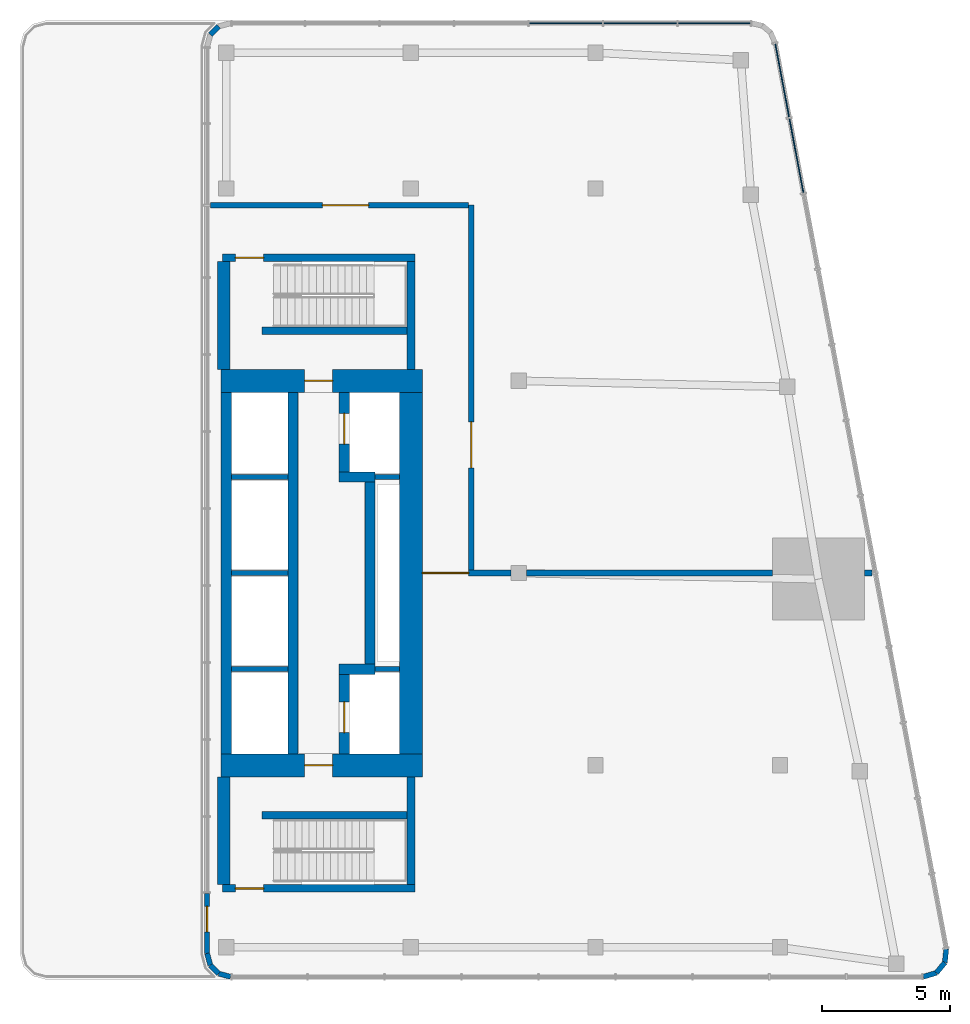
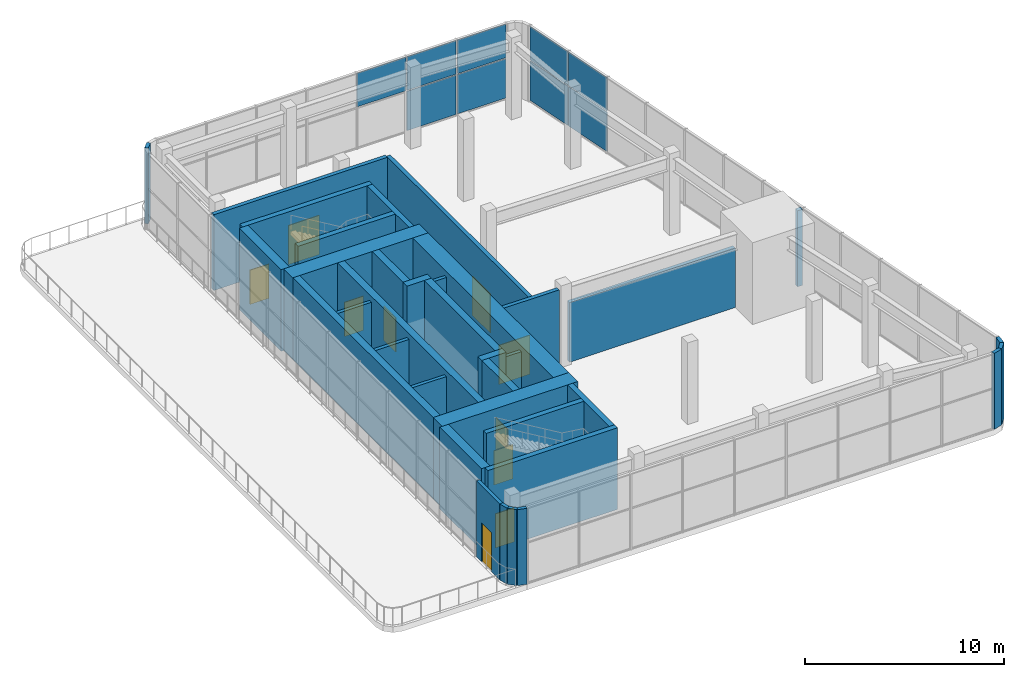
# One storey, part 5 of 8: 36 walls, 10 doors, 9 plates, 10 openings, 2 elements without a shape of their own.
"""IFC4 building model written with IfcOpenShell, lengths in metres."""

from ifc_helpers import new_model, si_unit, direction, frame, frame_2d, origin, origin_2d, place, context, subcontext, project, spatial, rectangle, extrude, material, layer, layer_set, type_object, element, fill, aggregate, save


model = new_model("IFC4")

# Units and contexts
model_context = context("Model", 3, precision=1e-05, world=origin(), true_north=direction((0.0, 1.0)))
body_context = subcontext(model_context, "Body", "Model", "MODEL_VIEW")
ifc_project = project(units=[si_unit("LENGTHUNIT", "METRE"), si_unit("AREAUNIT", "SQUARE_METRE"), si_unit("VOLUMEUNIT", "CUBIC_METRE"), si_unit("PLANEANGLEUNIT", "RADIAN"), si_unit("MASSUNIT", "GRAM", prefix="KILO")], contexts=[model_context])

# Site, building, storey
site_placement = place(None, origin())
site = spatial("IfcSite", under=ifc_project, at=site_placement, CompositionType="ELEMENT")
building_placement = place(site_placement, origin())
building = spatial("IfcBuilding", under=site, at=building_placement, Name="Sheger Commons Tower", CompositionType="ELEMENT")
storey_placement = place(building_placement, frame((0.0, 0.0, 296.60009765625)))
storey = spatial("IfcBuildingStorey", under=building, at=storey_placement, Name="L76", CompositionType="ELEMENT", Elevation=296.60009765625)

# Curtain wall, plates
ifc_material_1 = material(Name="Black aluminium curtain wall, dark tinted glazing", Category="aluminium")
curtain_wall_type = type_object("IfcCurtainWallType", Name="CURTAIN WALL CW6 LANTERN", PredefinedType="USERDEFINED", material=ifc_material_1)
curtain_wall_1_placement = place(storey_placement, origin())
curtain_wall_1 = element("IfcCurtainWall", 1, at=curtain_wall_1_placement, inside=storey, type_object=curtain_wall_type, Name="Curtain Wall Cw6 Lantern E1 L76", ObjectType="UNITISED CURTAIN WALL", PredefinedType="USERDEFINED")
ifc_material_2 = material(Name="Dark tinted double glazing, laminated inner and outer panes", Category="glass")
ifc_layer_1 = layer(ifc_material_2, 0.0439453125)
ifc_layer_set_1 = layer_set([ifc_layer_1], Name="GLAZED PANEL 44")
plate_type = type_object("IfcPlateType", Name="GLAZED PANEL 44", PredefinedType="CURTAIN_PANEL", material=ifc_layer_set_1)
plate_1_placement = place(storey_placement, frame((43.837158203125, 38.78466796875, 0.06494140625), z_axis=(0.0, 0.0, 1.0), x_axis=(-0.185613331041, 0.982622863229, 0.0)))
plate_1 = element("IfcPlate", 2, at=plate_1_placement, type_object=plate_type, Name="CW6 panel 11.1", PredefinedType="CURTAIN_PANEL", context=body_context, shape_type="SweptSolid", body=[
    extrude(rectangle(XDim=2.93505859375, YDim=0.0439453125, at=origin_2d()), origin(), (0.0, 0.0, 1.0), 2.402587890625),
])
plate_2_placement = place(storey_placement, frame((43.837158203125, 38.78466796875, 2.5322265625), z_axis=(0.0, 0.0, 1.0), x_axis=(-0.185613331041, 0.982622863229, 0.0)))
plate_2 = element("IfcPlate", 3, at=plate_2_placement, type_object=plate_type, Name="CW6 panel 11.2", PredefinedType="CURTAIN_PANEL", context=body_context, shape_type="SweptSolid", body=[
    extrude(rectangle(XDim=2.93505859375, YDim=0.0439453125, at=origin_2d()), origin(), (0.0, 0.0, 1.0), 2.052490234375),
])
plate_3_placement = place(storey_placement, frame((43.283447265625, 41.71630859375, 0.06494140625), z_axis=(0.0, 0.0, 1.0), x_axis=(-0.185613331041, 0.982622863229, 0.0)))
plate_3 = element("IfcPlate", 4, at=plate_3_placement, type_object=plate_type, Name="CW6 panel 12.1", PredefinedType="CURTAIN_PANEL", context=body_context, shape_type="SweptSolid", body=[
    extrude(rectangle(XDim=2.902099609375, YDim=0.0439453125, at=origin_2d()), origin(), (0.0, 0.0, 1.0), 2.402587890625),
])
plate_4_placement = place(storey_placement, frame((43.283447265625, 41.71630859375, 2.5322265625), z_axis=(0.0, 0.0, 1.0), x_axis=(-0.185613331041, 0.982622863229, 0.0)))
plate_4 = element("IfcPlate", 5, at=plate_4_placement, type_object=plate_type, Name="CW6 panel 12.2", PredefinedType="CURTAIN_PANEL", context=body_context, shape_type="SweptSolid", body=[
    extrude(rectangle(XDim=2.902099609375, YDim=0.0439453125, at=origin_2d()), origin(), (0.0, 0.0, 1.0), 2.052490234375),
])
aggregate(curtain_wall_1, [plate_1, plate_2, plate_3, plate_4])

curtain_wall_2_placement = place(storey_placement, origin())
curtain_wall_2 = element("IfcCurtainWall", 6, at=curtain_wall_2_placement, inside=storey, type_object=curtain_wall_type, Name="Curtain Wall Cw6 Lantern N1 L76", ObjectType="UNITISED CURTAIN WALL", PredefinedType="USERDEFINED")
plate_5_placement = place(storey_placement, frame((40.6337890625, 43.949951171875, 0.06494140625), z_axis=(0.0, 0.0, 1.0), x_axis=(-1.0, 0.0, 0.0)))
plate_5 = element("IfcPlate", 7, at=plate_5_placement, type_object=plate_type, Name="CW6 panel 1.1", PredefinedType="CURTAIN_PANEL", context=body_context, shape_type="SweptSolid", body=[
    extrude(rectangle(XDim=2.80810546875, YDim=0.0439453125, at=origin_2d()), origin(), (0.0, 0.0, 1.0), 2.402587890625),
])
plate_6_placement = place(storey_placement, frame((40.6337890625, 43.949951171875, 2.5322265625), z_axis=(0.0, 0.0, 1.0), x_axis=(-1.0, 0.0, 0.0)))
plate_6 = element("IfcPlate", 8, at=plate_6_placement, type_object=plate_type, Name="CW6 panel 1.2", PredefinedType="CURTAIN_PANEL", context=body_context, shape_type="SweptSolid", body=[
    extrude(rectangle(XDim=2.80810546875, YDim=0.0439453125, at=origin_2d()), origin(), (0.0, 0.0, 1.0), 2.052490234375),
])
plate_7_placement = place(storey_placement, frame((37.744384765625, 43.949951171875, 0.06494140625), z_axis=(0.0, 0.0, 1.0), x_axis=(-1.0, 0.0, 0.0)))
plate_7 = element("IfcPlate", 9, at=plate_7_placement, type_object=plate_type, Name="CW6 panel 2.1", PredefinedType="CURTAIN_PANEL", context=body_context, shape_type="SweptSolid", body=[
    extrude(rectangle(XDim=2.8408203125, YDim=0.0439453125, at=origin_2d()), origin(), (0.0, 0.0, 1.0), 2.402587890625),
])
plate_8_placement = place(storey_placement, frame((37.744384765625, 43.949951171875, 2.5322265625), z_axis=(0.0, 0.0, 1.0), x_axis=(-1.0, 0.0, 0.0)))
plate_8 = element("IfcPlate", 10, at=plate_8_placement, type_object=plate_type, Name="CW6 panel 2.2", PredefinedType="CURTAIN_PANEL", context=body_context, shape_type="SweptSolid", body=[
    extrude(rectangle(XDim=2.8408203125, YDim=0.0439453125, at=origin_2d()), origin(), (0.0, 0.0, 1.0), 2.052490234375),
])
plate_9_placement = place(storey_placement, frame((34.838623046875, 43.949951171875, 2.5322265625), z_axis=(0.0, 0.0, 1.0), x_axis=(-1.0, 0.0, 0.0)))
plate_9 = element("IfcPlate", 11, at=plate_9_placement, type_object=plate_type, Name="CW6 panel 3.2", PredefinedType="CURTAIN_PANEL", context=body_context, shape_type="SweptSolid", body=[
    extrude(rectangle(XDim=2.8408203125, YDim=0.0439453125, at=origin_2d()), origin(), (0.0, 0.0, 1.0), 2.052490234375),
])
aggregate(curtain_wall_2, [plate_5, plate_6, plate_7, plate_8, plate_9])

# Walls
ifc_material_3 = material(Name="Concrete C50/60", Category="concrete")
ifc_layer_2 = layer(ifc_material_3, 0.39990234375)
ifc_layer_set_2 = layer_set([ifc_layer_2], Name="CORE INNER WALL 400")
wall_type_1 = type_object("IfcWallType", Name="CORE INNER WALL 400", PredefinedType="SHEAR", material=ifc_layer_set_2)
for number, where, z_axis, x_axis, name in (
    (12, (21.60009765625, 15.449951171875, 0.0), (0.0, 0.0, 1.0), (0.0, 1.0, 0.0), "Core inner wall L L76"),
    (13, (24.199951171875, 15.449951171875, 0.0), (0.0, 0.0, 1.0), (0.0, 1.0, 0.0), "Core inner wall B L76"),
):
    element("IfcWall", number, at=place(storey_placement, frame(where, z_axis=z_axis, x_axis=x_axis)), inside=storey, type_object=wall_type_1, Name=name, PredefinedType="SHEAR", context=body_context, shape_type="SweptSolid", body=[
        extrude(rectangle(XDim=14.10009765625, YDim=0.39990234375, at=frame_2d((7.050048828125, 0.0))), origin(), (0.0, 0.0, 1.0), 5.0),
    ])

# Wall, opening, door
wall_1_placement = place(storey_placement, frame((26.199951171875, 15.449951171875, 0.0), z_axis=(0.0, 0.0, 1.0), x_axis=(0.0, 1.0, 0.0)))
wall_1 = element("IfcWall", 14, at=wall_1_placement, inside=storey, type_object=wall_type_1, Name="Core inner wall F L76", PredefinedType="SHEAR", context=body_context, shape_type="SweptSolid", body=[
    extrude(rectangle(XDim=3.10009765625, YDim=0.39990234375, at=frame_2d((1.550048828125, 0.0))), origin(), (0.0, 0.0, 1.0), 5.0),
])
opening_1_placement = place(wall_1_placement, frame((0.824951171875, 0.0, 0.0)))
opening_1 = element("IfcOpeningElement", 15, at=opening_1_placement, cuts=wall_1, Name="Opening LD2", PredefinedType="OPENING", context=body_context, shape_type="SweptSolid", body=[
    extrude(rectangle(XDim=1.199951171875, YDim=2.10009765625, at=frame_2d((0.60009765625, 1.050048828125))), frame((0.0, 0.2099609375, 0.0), z_axis=(0.0, -1.0, 0.0), x_axis=(1.0, 0.0, 0.0)), (0.0, 0.0, 1.0), 0.419921875),
])
ifc_material_4 = material(Name="Steel door set, fire rated", Category="steel")
door_type_1 = type_object("IfcDoorType", Name="FIREFIGHTING LIFT LANDING DOOR 1200x2100", OperationType="DOUBLE_DOOR_SLIDING", PredefinedType="DOOR", material=ifc_material_4)
door_1_placement = place(opening_1_placement, origin())
door_1 = element("IfcDoor", 16, at=door_1_placement, inside=storey, type_object=door_type_1, Name="Lift FL1 landing door", OperationType="DOUBLE_DOOR_SLIDING", OverallHeight=2.10009765625, OverallWidth=1.199951171875, PredefinedType="DOOR", context=body_context, shape_type="SweptSolid", body=[
    extrude(rectangle(XDim=1.199951171875, YDim=2.10009765625, at=frame_2d((0.60009765625, 1.050048828125))), frame((0.0, 0.02490234375, 0.0), z_axis=(0.0, -1.0, 0.0), x_axis=(1.0, 0.0, 0.0)), (0.0, 0.0, 1.0), 0.050048828125),
])
fill(opening_1, door_1)

# Walls
wall_2_placement = place(storey_placement, frame((26.0, 18.75, 0.0), z_axis=(0.0, 0.0, 1.0), x_axis=(1.0, 0.0, 0.0)))
element("IfcWall", 17, at=wall_2_placement, inside=storey, type_object=wall_type_1, Name="Core inner wall F south return L76", PredefinedType="SHEAR", context=body_context, shape_type="SweptSolid", body=[
    extrude(rectangle(XDim=1.39990234375, YDim=0.39990234375, at=frame_2d((0.699951171875, 0.0))), origin(), (0.0, 0.0, 1.0), 5.0),
])
wall_3_placement = place(storey_placement, frame((27.199951171875, 18.949951171875, 0.0), z_axis=(0.0, 0.0, 1.0), x_axis=(0.0, 1.0, 0.0)))
element("IfcWall", 18, at=wall_3_placement, inside=storey, type_object=wall_type_1, Name="Core inner wall F middle L76", PredefinedType="SHEAR", context=body_context, shape_type="SweptSolid", body=[
    extrude(rectangle(XDim=7.10009765625, YDim=0.39990234375, at=frame_2d((3.550048828125, 0.0))), origin(), (0.0, 0.0, 1.0), 5.0),
])
wall_4_placement = place(storey_placement, frame((26.0, 26.25, 0.0), z_axis=(0.0, 0.0, 1.0), x_axis=(1.0, 0.0, 0.0)))
element("IfcWall", 19, at=wall_4_placement, inside=storey, type_object=wall_type_1, Name="Core inner wall F north return L76", PredefinedType="SHEAR", context=body_context, shape_type="SweptSolid", body=[
    extrude(rectangle(XDim=1.39990234375, YDim=0.39990234375, at=frame_2d((0.699951171875, 0.0))), origin(), (0.0, 0.0, 1.0), 5.0),
])

# Wall, opening, door
wall_5_placement = place(storey_placement, frame((26.199951171875, 26.449951171875, 0.0), z_axis=(0.0, 0.0, 1.0), x_axis=(0.0, 1.0, 0.0)))
wall_5 = element("IfcWall", 20, at=wall_5_placement, inside=storey, type_object=wall_type_1, Name="Core inner wall F north L76", PredefinedType="SHEAR", context=body_context, shape_type="SweptSolid", body=[
    extrude(rectangle(XDim=3.10009765625, YDim=0.39990234375, at=frame_2d((1.550048828125, 0.0))), origin(), (0.0, 0.0, 1.0), 5.0),
])
opening_2_placement = place(wall_5_placement, frame((1.074951171875, 0.0, 0.0)))
opening_2 = element("IfcOpeningElement", 21, at=opening_2_placement, cuts=wall_5, Name="Opening LD2", PredefinedType="OPENING", context=body_context, shape_type="SweptSolid", body=[
    extrude(rectangle(XDim=1.199951171875, YDim=2.10009765625, at=frame_2d((0.60009765625, 1.050048828125))), frame((0.0, 0.2099609375, 0.0), z_axis=(0.0, -1.0, 0.0), x_axis=(1.0, 0.0, 0.0)), (0.0, 0.0, 1.0), 0.419921875),
])
door_2_placement = place(opening_2_placement, origin())
door_2 = element("IfcDoor", 22, at=door_2_placement, inside=storey, type_object=door_type_1, Name="Lift FL2 landing door", OperationType="DOUBLE_DOOR_SLIDING", OverallHeight=2.10009765625, OverallWidth=1.199951171875, PredefinedType="DOOR", context=body_context, shape_type="SweptSolid", body=[
    extrude(rectangle(XDim=1.199951171875, YDim=2.10009765625, at=frame_2d((0.60009765625, 1.050048828125))), frame((0.0, 0.02490234375, 0.0), z_axis=(0.0, -1.0, 0.0), x_axis=(1.0, 0.0, 0.0)), (0.0, 0.0, 1.0), 0.050048828125),
])
fill(opening_2, door_2)

ifc_material_5 = material(Name="Concrete C50/60", Category="concrete")
ifc_layer_3 = layer(ifc_material_5, 0.89990234375)
ifc_layer_set_3 = layer_set([ifc_layer_3], Name="CORE WALL 900")
wall_type_2 = type_object("IfcWallType", Name="CORE WALL 900", PredefinedType="SHEAR", material=ifc_layer_set_3)
wall_6_placement = place(storey_placement, frame((21.39990234375, 15.0, 0.0), z_axis=(0.0, 0.0, 1.0), x_axis=(1.0, 0.0, 0.0)))
wall_6 = element("IfcWall", 23, at=wall_6_placement, inside=storey, type_object=wall_type_2, Name="Core wall south L76", PredefinedType="SHEAR", context=body_context, shape_type="SweptSolid", body=[
    extrude(rectangle(XDim=7.85009765625, YDim=0.89990234375, at=frame_2d((3.925048828125, 0.0))), origin(), (0.0, 0.0, 1.0), 5.0),
])
opening_3_placement = place(wall_6_placement, frame((3.25, 0.0, 0.0)))
opening_3 = element("IfcOpeningElement", 24, at=opening_3_placement, cuts=wall_6, Name="Opening D5", PredefinedType="OPENING", context=body_context, shape_type="SweptSolid", body=[
    extrude(rectangle(XDim=1.10009765625, YDim=2.10009765625, at=frame_2d((0.550048828125, 1.050048828125))), frame((0.0, 0.4599609375, 0.0), z_axis=(0.0, -1.0, 0.0), x_axis=(1.0, 0.0, 0.0)), (0.0, 0.0, 1.0), 0.919921875),
])
ifc_material_6 = material(Name="Steel door set, fire rated", Category="steel")
door_type_2 = type_object("IfcDoorType", Name="STAIR DOOR 1100x2100", OperationType="NOTDEFINED", PredefinedType="DOOR", material=ifc_material_6)
door_3_placement = place(opening_3_placement, origin())
door_3 = element("IfcDoor", 25, at=door_3_placement, inside=storey, type_object=door_type_2, Name="Fire-fighting lobby door", OperationType="SINGLE_SWING_RIGHT", OverallHeight=2.10009765625, OverallWidth=1.10009765625, PredefinedType="DOOR", context=body_context, shape_type="SweptSolid", body=[
    extrude(rectangle(XDim=1.10009765625, YDim=2.10009765625, at=frame_2d((0.550048828125, 1.050048828125))), frame((0.0, 0.02490234375, 0.0), z_axis=(0.0, -1.0, 0.0), x_axis=(1.0, 0.0, 0.0)), (0.0, 0.0, 1.0), 0.050048828125),
])
fill(opening_3, door_3)

wall_7_placement = place(storey_placement, frame((21.39990234375, 30.0, 0.0), z_axis=(0.0, 0.0, 1.0), x_axis=(1.0, 0.0, 0.0)))
wall_7 = element("IfcWall", 26, at=wall_7_placement, inside=storey, type_object=wall_type_2, Name="Core wall north L76", PredefinedType="SHEAR", context=body_context, shape_type="SweptSolid", body=[
    extrude(rectangle(XDim=7.85009765625, YDim=0.89990234375, at=frame_2d((3.925048828125, 0.0))), origin(), (0.0, 0.0, 1.0), 5.0),
])
opening_4_placement = place(wall_7_placement, frame((3.25, 0.0, 0.0)))
opening_4 = element("IfcOpeningElement", 27, at=opening_4_placement, cuts=wall_7, Name="Opening D5", PredefinedType="OPENING", context=body_context, shape_type="SweptSolid", body=[
    extrude(rectangle(XDim=1.10009765625, YDim=2.10009765625, at=frame_2d((0.550048828125, 1.050048828125))), frame((0.0, 0.4599609375, 0.0), z_axis=(0.0, -1.0, 0.0), x_axis=(1.0, 0.0, 0.0)), (0.0, 0.0, 1.0), 0.919921875),
])
door_4_placement = place(opening_4_placement, origin())
door_4 = element("IfcDoor", 28, at=door_4_placement, inside=storey, type_object=door_type_2, Name="Fire-fighting lobby door", OperationType="SINGLE_SWING_RIGHT", OverallHeight=2.10009765625, OverallWidth=1.10009765625, PredefinedType="DOOR", context=body_context, shape_type="SweptSolid", body=[
    extrude(rectangle(XDim=1.10009765625, YDim=2.10009765625, at=frame_2d((0.550048828125, 1.050048828125))), frame((0.0, 0.02490234375, 0.0), z_axis=(0.0, -1.0, 0.0), x_axis=(1.0, 0.0, 0.0)), (0.0, 0.0, 1.0), 0.050048828125),
])
fill(opening_4, door_4)

# Walls
wall_8_placement = place(storey_placement, frame((28.800048828125, 15.449951171875, 0.0), z_axis=(0.0, 0.0, 1.0), x_axis=(0.0, 1.0, 0.0)))
element("IfcWall", 29, at=wall_8_placement, inside=storey, type_object=wall_type_2, Name="Core wall east L76", PredefinedType="SHEAR", context=body_context, shape_type="SweptSolid", body=[
    extrude(rectangle(XDim=14.10009765625, YDim=0.89990234375, at=frame_2d((7.050048828125, 0.0))), origin(), (0.0, 0.0, 1.0), 5.0),
])
ifc_material_7 = material(Name="Rendered concrete block masonry, dark grey", Category="masonry")
ifc_layer_4 = layer(ifc_material_7, 0.199951171875)
ifc_layer_set_4 = layer_set([ifc_layer_4], Name="FACADE WALL 200")
wall_type_3 = type_object("IfcWallType", Name="FACADE WALL 200", PredefinedType="SOLIDWALL", material=ifc_layer_set_4)
wall_9_placement = place(storey_placement, frame((48.787109375, 6.75, 0.0), z_axis=(0.0, 0.0, 1.0), x_axis=(0.957282247819, 0.289155145225, 0.0)))
element("IfcWall", 30, at=wall_9_placement, inside=storey, type_object=wall_type_3, Name="Facade wall L76", PredefinedType="SOLIDWALL", context=body_context, shape_type="SweptSolid", body=[
    extrude(rectangle(XDim=0.53271484375, YDim=0.199951171875, at=frame_2d((0.266357421875, 0.0))), origin(), (0.0, 0.0, 1.0), 4.64990234375),
])
wall_10_placement = place(storey_placement, frame((49.297119140625, 6.904052734375, 0.0), z_axis=(0.0, 0.0, 1.0), x_axis=(0.639255849474, 0.768994121508, 0.0)))
element("IfcWall", 31, at=wall_10_placement, inside=storey, type_object=wall_type_3, Name="Facade wall L76", PredefinedType="SOLIDWALL", context=body_context, shape_type="SweptSolid", body=[
    extrude(rectangle(XDim=0.517578125, YDim=0.199951171875, at=frame_2d((0.2587890625, 0.0))), origin(), (0.0, 0.0, 1.0), 4.64990234375),
])
wall_11_placement = place(storey_placement, frame((49.6279296875, 7.302001953125, 0.0), z_axis=(0.0, 0.0, 1.0), x_axis=(0.105352390132, 0.994434952068, 0.0)))
element("IfcWall", 32, at=wall_11_placement, inside=storey, type_object=wall_type_3, Name="Facade wall L76", PredefinedType="SOLIDWALL", context=body_context, shape_type="SweptSolid", body=[
    extrude(rectangle(XDim=0.532958984375, YDim=0.199951171875, at=frame_2d((0.2666015625, 0.0))), origin(), (0.0, 0.0, 1.0), 4.64990234375),
])
wall_12_placement = place(storey_placement, frame((21.302001953125, 43.825927734375, 0.0), z_axis=(0.0, 0.0, 1.0), x_axis=(-0.707106781187, -0.707106781187, 0.0)))
element("IfcWall", 33, at=wall_12_placement, inside=storey, type_object=wall_type_3, Name="Facade wall L76", PredefinedType="SOLIDWALL", context=body_context, shape_type="SweptSolid", body=[
    extrude(rectangle(XDim=0.463623046875, YDim=0.199951171875, at=frame_2d((0.23193359375, 0.0))), origin(), (0.0, 0.0, 1.0), 4.64990234375),
])

# Wall, opening, door
wall_13_placement = place(storey_placement, frame((20.85009765625, 10.0, 0.0), z_axis=(0.0, 0.0, 1.0), x_axis=(0.0, -1.0, 0.0)))
wall_13 = element("IfcWall", 34, at=wall_13_placement, inside=storey, type_object=wall_type_3, Name="Maintenance roof door wall L76", PredefinedType="SOLIDWALL", context=body_context, shape_type="SweptSolid", body=[
    extrude(rectangle(XDim=2.3369140625, YDim=0.199951171875, at=frame_2d((1.16845703125, 0.0))), origin(), (0.0, 0.0, 1.0), 4.64990234375),
])
opening_5_placement = place(wall_13_placement, frame((0.5, 0.0, 0.0)))
opening_5 = element("IfcOpeningElement", 35, at=opening_5_placement, cuts=wall_13, Name="Opening DT1", PredefinedType="OPENING", context=body_context, shape_type="SweptSolid", body=[
    extrude(rectangle(XDim=1.0, YDim=2.39990234375, at=frame_2d((0.5, 1.199951171875))), frame((0.0, 0.10986328125, 0.0), z_axis=(0.0, -1.0, 0.0), x_axis=(1.0, 0.0, 0.0)), (0.0, 0.0, 1.0), 0.219970703125),
])
ifc_material_8 = material(Name="Black aluminium frame, dark tinted glazing", Category="aluminium")
door_type_3 = type_object("IfcDoorType", Name="TERRACE DOOR 1000x2400", OperationType="SINGLE_SWING_RIGHT", PredefinedType="DOOR", material=ifc_material_8)
door_5_placement = place(opening_5_placement, origin())
door_5 = element("IfcDoor", 36, at=door_5_placement, inside=storey, type_object=door_type_3, Name="Maintenance roof door", OperationType="SINGLE_SWING_RIGHT", OverallHeight=2.39990234375, OverallWidth=1.0, PredefinedType="DOOR", context=body_context, shape_type="SweptSolid", body=[
    extrude(rectangle(XDim=1.0, YDim=2.39990234375, at=frame_2d((0.5, 1.199951171875))), frame((0.0, 0.02490234375, 0.0), z_axis=(0.0, -1.0, 0.0), x_axis=(1.0, 0.0, 0.0)), (0.0, 0.0, 1.0), 0.050048828125),
])
fill(opening_5, door_5)

# Walls
wall_14_placement = place(storey_placement, frame((20.85009765625, 7.6630859375, 0.0), z_axis=(0.0, 0.0, 1.0), x_axis=(0.259698463175, -0.965689757751, 0.0)))
element("IfcWall", 37, at=wall_14_placement, inside=storey, type_object=wall_type_3, Name="Facade wall L76", PredefinedType="SOLIDWALL", context=body_context, shape_type="SweptSolid", body=[
    extrude(rectangle(XDim=0.4775390625, YDim=0.199951171875, at=frame_2d((0.23876953125, 0.0))), origin(), (0.0, 0.0, 1.0), 4.64990234375),
])
wall_15_placement = place(storey_placement, frame((20.97412109375, 7.201904296875, 0.0), z_axis=(0.0, 0.0, 1.0), x_axis=(0.707106781187, -0.707106781187, 0.0)))
element("IfcWall", 38, at=wall_15_placement, inside=storey, type_object=wall_type_3, Name="Facade wall L76", PredefinedType="SOLIDWALL", context=body_context, shape_type="SweptSolid", body=[
    extrude(rectangle(XDim=0.463623046875, YDim=0.199951171875, at=frame_2d((0.23193359375, 0.0))), origin(), (0.0, 0.0, 1.0), 4.64990234375),
])
wall_16_placement = place(storey_placement, frame((21.302001953125, 6.8740234375, 0.0), z_axis=(0.0, 0.0, 1.0), x_axis=(0.965655254015, -0.259826731483, 0.0)))
element("IfcWall", 39, at=wall_16_placement, inside=storey, type_object=wall_type_3, Name="Facade wall L76", PredefinedType="SOLIDWALL", context=body_context, shape_type="SweptSolid", body=[
    extrude(rectangle(XDim=0.477294921875, YDim=0.199951171875, at=frame_2d((0.23876953125, 0.0))), origin(), (0.0, 0.0, 1.0), 4.64990234375),
])

# Wall, opening, door
ifc_material_9 = material(Name="Dense concrete block masonry, skimmed both sides", Category="masonry")
ifc_layer_5 = layer(ifc_material_9, 0.22509765625)
ifc_layer_set_5 = layer_set([ifc_layer_5], Name="FIRE WALL 225")
wall_type_4 = type_object("IfcWallType", Name="FIRE WALL 225", PredefinedType="SOLIDWALL", material=ifc_layer_set_5)
wall_17_placement = place(storey_placement, frame((29.25, 22.5, 0.0), z_axis=(0.0, 0.0, 1.0), x_axis=(1.0, 0.0, 0.0)))
wall_17 = element("IfcWall", 40, at=wall_17_placement, inside=storey, type_object=wall_type_4, Name="Plant room wall L76", PredefinedType="SOLIDWALL", context=body_context, shape_type="SweptSolid", body=[
    extrude(rectangle(XDim=3.448974609375, YDim=0.22509765625, at=frame_2d((1.724609375, 0.0))), origin(), (0.0, 0.0, 1.0), 4.64990234375),
])
opening_6_placement = place(wall_17_placement, origin())
opening_6 = element("IfcOpeningElement", 41, at=opening_6_placement, cuts=wall_17, Name="Opening D7", PredefinedType="OPENING", context=body_context, shape_type="SweptSolid", body=[
    extrude(rectangle(XDim=1.800048828125, YDim=2.39990234375, at=frame_2d((0.89990234375, 1.199951171875))), frame((0.0, 0.12255859375, 0.0), z_axis=(0.0, -1.0, 0.0), x_axis=(1.0, 0.0, 0.0)), (0.0, 0.0, 1.0), 0.2451171875),
])
ifc_material_10 = material(Name="Steel door set, fire rated", Category="steel")
door_type_4 = type_object("IfcDoorType", Name="PLANT DOUBLE DOOR 1800x2400", OperationType="DOUBLE_DOOR_SINGLE_SWING", PredefinedType="DOOR", material=ifc_material_10)
door_6_placement = place(opening_6_placement, origin())
door_6 = element("IfcDoor", 42, at=door_6_placement, inside=storey, type_object=door_type_4, Name="Water tank room door", OperationType="DOUBLE_DOOR_SINGLE_SWING", OverallHeight=2.39990234375, OverallWidth=1.800048828125, PredefinedType="DOOR", context=body_context, shape_type="SweptSolid", body=[
    extrude(rectangle(XDim=1.800048828125, YDim=2.39990234375, at=frame_2d((0.89990234375, 1.199951171875))), frame((0.0, 0.02490234375, 0.0), z_axis=(0.0, -1.0, 0.0), x_axis=(1.0, 0.0, 0.0)), (0.0, 0.0, 1.0), 0.050048828125),
])
fill(opening_6, door_6)

# Walls
wall_18_placement = place(storey_placement, frame((33.301025390625, 22.5, 0.0), z_axis=(0.0, 0.0, 1.0), x_axis=(1.0, 0.0, 0.0)))
element("IfcWall", 43, at=wall_18_placement, inside=storey, type_object=wall_type_4, Name="Plant room wall L76", PredefinedType="SOLIDWALL", context=body_context, shape_type="SweptSolid", body=[
    extrude(rectangle(XDim=9.594970703125, YDim=0.22509765625, at=frame_2d((4.79736328125, 0.0))), origin(), (0.0, 0.0, 1.0), 3.64990234375),
])
wall_19_placement = place(storey_placement, frame((46.498046875, 22.5, 0.0), z_axis=(0.0, 0.0, 1.0), x_axis=(1.0, 0.0, 0.0)))
element("IfcWall", 44, at=wall_19_placement, inside=storey, type_object=wall_type_4, Name="Plant room wall L76", PredefinedType="SOLIDWALL", context=body_context, shape_type="SweptSolid", body=[
    extrude(rectangle(XDim=0.287841796875, YDim=0.22509765625, at=frame_2d((0.14404296875, 0.0))), origin(), (0.0, 0.0, 1.0), 4.64990234375),
])

# Wall, opening, door
wall_20_placement = place(storey_placement, frame((20.97509765625, 36.85009765625, 0.0), z_axis=(0.0, 0.0, 1.0), x_axis=(1.0, 0.0, 0.0)))
wall_20 = element("IfcWall", 45, at=wall_20_placement, inside=storey, type_object=wall_type_4, Name="Plant room wall L76", PredefinedType="SOLIDWALL", context=body_context, shape_type="SweptSolid", body=[
    extrude(rectangle(XDim=10.06201171875, YDim=0.22509765625, at=frame_2d((5.031005859375, 0.0))), origin(), (0.0, 0.0, 1.0), 4.64990234375),
])
opening_7_placement = place(wall_20_placement, frame((4.375, 0.0, 0.0)))
opening_7 = element("IfcOpeningElement", 46, at=opening_7_placement, cuts=wall_20, Name="Opening D7", PredefinedType="OPENING", context=body_context, shape_type="SweptSolid", body=[
    extrude(rectangle(XDim=1.800048828125, YDim=2.39990234375, at=frame_2d((0.89990234375, 1.199951171875))), frame((0.0, 0.12255859375, 0.0), z_axis=(0.0, -1.0, 0.0), x_axis=(1.0, 0.0, 0.0)), (0.0, 0.0, 1.0), 0.2451171875),
])
door_7_placement = place(opening_7_placement, origin())
door_7 = element("IfcDoor", 47, at=door_7_placement, inside=storey, type_object=door_type_4, Name="Lift machine and plant room door", OperationType="DOUBLE_DOOR_SINGLE_SWING", OverallHeight=2.39990234375, OverallWidth=1.800048828125, PredefinedType="DOOR", context=body_context, shape_type="SweptSolid", body=[
    extrude(rectangle(XDim=1.800048828125, YDim=2.39990234375, at=frame_2d((0.89990234375, 1.199951171875))), frame((0.0, 0.02490234375, 0.0), z_axis=(0.0, -1.0, 0.0), x_axis=(1.0, 0.0, 0.0)), (0.0, 0.0, 1.0), 0.050048828125),
])
fill(opening_7, door_7)

wall_21_placement = place(storey_placement, frame((31.14990234375, 22.613037109375, 0.0), z_axis=(0.0, 0.0, 1.0), x_axis=(0.0, 1.0, 0.0)))
wall_21 = element("IfcWall", 48, at=wall_21_placement, inside=storey, type_object=wall_type_4, Name="Plant room wall L76", PredefinedType="SOLIDWALL", context=body_context, shape_type="SweptSolid", body=[
    extrude(rectangle(XDim=14.237060546875, YDim=0.22509765625, at=frame_2d((7.11865234375, 0.0))), origin(), (0.0, 0.0, 1.0), 4.64990234375),
])
opening_8_placement = place(wall_21_placement, frame((3.987060546875, 0.0, 0.0)))
opening_8 = element("IfcOpeningElement", 49, at=opening_8_placement, cuts=wall_21, Name="Opening D7", PredefinedType="OPENING", context=body_context, shape_type="SweptSolid", body=[
    extrude(rectangle(XDim=1.800048828125, YDim=2.39990234375, at=frame_2d((0.89990234375, 1.199951171875))), frame((0.0, 0.12255859375, 0.0), z_axis=(0.0, -1.0, 0.0), x_axis=(1.0, 0.0, 0.0)), (0.0, 0.0, 1.0), 0.2451171875),
])
door_8_placement = place(opening_8_placement, origin())
door_8 = element("IfcDoor", 50, at=door_8_placement, inside=storey, type_object=door_type_4, Name="Lift machine and plant room door", OperationType="DOUBLE_DOOR_SINGLE_SWING", OverallHeight=2.39990234375, OverallWidth=1.800048828125, PredefinedType="DOOR", context=body_context, shape_type="SweptSolid", body=[
    extrude(rectangle(XDim=1.800048828125, YDim=2.39990234375, at=frame_2d((0.89990234375, 1.199951171875))), frame((0.0, 0.02490234375, 0.0), z_axis=(0.0, -1.0, 0.0), x_axis=(1.0, 0.0, 0.0)), (0.0, 0.0, 1.0), 0.050048828125),
])
fill(opening_8, door_8)

# Walls
ifc_material_11 = material(Name="Hollow concrete block masonry", Category="masonry")
ifc_layer_6 = layer(ifc_material_11, 0.199951171875)
ifc_layer_set_6 = layer_set([ifc_layer_6], Name="SHAFT WALL 200")
wall_type_5 = type_object("IfcWallType", Name="SHAFT WALL 200", PredefinedType="SOLIDWALL", material=ifc_layer_set_6)
for number, where, z_axis, x_axis, name in (
    (51, (21.800048828125, 18.75, 0.0), (0.0, 0.0, 1.0), (1.0, 0.0, 0.0), "Lift shaft wall L76"),
    (52, (21.800048828125, 22.5, 0.0), (0.0, 0.0, 1.0), (1.0, 0.0, 0.0), "Lift shaft wall L76"),
    (53, (21.800048828125, 26.25, 0.0), (0.0, 0.0, 1.0), (1.0, 0.0, 0.0), "Lift shaft wall L76"),
):
    element("IfcWall", number, at=place(storey_placement, frame(where, z_axis=z_axis, x_axis=x_axis)), inside=storey, type_object=wall_type_5, Name=name, PredefinedType="SOLIDWALL", context=body_context, shape_type="SweptSolid", body=[
        extrude(rectangle(XDim=2.199951171875, YDim=0.199951171875, at=frame_2d((1.10009765625, 0.0))), origin(), (0.0, 0.0, 1.0), 4.64990234375),
    ])
for number, where, z_axis, x_axis, name in (
    (54, (27.39990234375, 18.75, 0.0), (0.0, 0.0, 1.0), (1.0, 0.0, 0.0), "Lift shaft wall L76"),
    (55, (27.39990234375, 26.25, 0.0), (0.0, 0.0, 1.0), (1.0, 0.0, 0.0), "Lift shaft wall L76"),
):
    element("IfcWall", number, at=place(storey_placement, frame(where, z_axis=z_axis, x_axis=x_axis)), inside=storey, type_object=wall_type_5, Name=name, PredefinedType="SOLIDWALL", context=body_context, shape_type="SweptSolid", body=[
        extrude(rectangle(XDim=0.9501953125, YDim=0.199951171875, at=frame_2d((0.47509765625, 0.0))), origin(), (0.0, 0.0, 1.0), 4.64990234375),
    ])

# Wall, opening, door
ifc_material_12 = material(Name="Concrete C50/60", Category="concrete")
ifc_layer_7 = layer(ifc_material_12, 0.300048828125)
ifc_layer_set_7 = layer_set([ifc_layer_7], Name="STAIR CORE WALL 300")
wall_type_6 = type_object("IfcWallType", Name="STAIR CORE WALL 300", PredefinedType="SHEAR", material=ifc_layer_set_7)
wall_22_placement = place(storey_placement, frame((21.449951171875, 10.199951171875, 0.0), z_axis=(0.0, 0.0, 1.0), x_axis=(1.0, 0.0, 0.0)))
wall_22 = element("IfcWall", 56, at=wall_22_placement, inside=storey, type_object=wall_type_6, Name="STW-L76-S1S", PredefinedType="SHEAR", context=body_context, shape_type="SweptSolid", body=[
    extrude(rectangle(XDim=7.5, YDim=0.300048828125, at=frame_2d((3.75, 0.0))), origin(), (0.0, 0.0, 1.0), 5.0),
])
opening_9_placement = place(wall_22_placement, frame((0.5, 0.0, 0.0)))
opening_9 = element("IfcOpeningElement", 57, at=opening_9_placement, cuts=wall_22, Name="Opening D5", PredefinedType="OPENING", context=body_context, shape_type="SweptSolid", body=[
    extrude(rectangle(XDim=1.10009765625, YDim=2.10009765625, at=frame_2d((0.550048828125, 1.050048828125))), frame((0.0, 0.159912109375, 0.0), z_axis=(0.0, -1.0, 0.0), x_axis=(1.0, 0.0, 0.0)), (0.0, 0.0, 1.0), 0.320068359375),
])
door_9_placement = place(opening_9_placement, origin())
door_9 = element("IfcDoor", 58, at=door_9_placement, inside=storey, type_object=door_type_2, Name="Stair S1 door", OperationType="SINGLE_SWING_LEFT", OverallHeight=2.10009765625, OverallWidth=1.10009765625, PredefinedType="DOOR", context=body_context, shape_type="SweptSolid", body=[
    extrude(rectangle(XDim=1.10009765625, YDim=2.10009765625, at=frame_2d((0.550048828125, 1.050048828125))), frame((0.0, 0.02490234375, 0.0), z_axis=(0.0, -1.0, 0.0), x_axis=(1.0, 0.0, 0.0)), (0.0, 0.0, 1.0), 0.050048828125),
])
fill(opening_9, door_9)

# Wall
wall_23_placement = place(storey_placement, frame((28.800048828125, 10.35009765625, 0.0), z_axis=(0.0, 0.0, 1.0), x_axis=(0.0, 1.0, 0.0)))
element("IfcWall", 59, at=wall_23_placement, inside=storey, type_object=wall_type_6, Name="STW-L76-S1E", PredefinedType="SHEAR", context=body_context, shape_type="SweptSolid", body=[
    extrude(rectangle(XDim=4.199951171875, YDim=0.300048828125, at=frame_2d((2.10009765625, 0.0))), origin(), (0.0, 0.0, 1.0), 5.0),
])

# Wall, opening, door
wall_24_placement = place(storey_placement, frame((21.449951171875, 34.800048828125, 0.0), z_axis=(0.0, 0.0, 1.0), x_axis=(1.0, 0.0, 0.0)))
wall_24 = element("IfcWall", 60, at=wall_24_placement, inside=storey, type_object=wall_type_6, Name="STW-L76-S2N", PredefinedType="SHEAR", context=body_context, shape_type="SweptSolid", body=[
    extrude(rectangle(XDim=7.5, YDim=0.300048828125, at=frame_2d((3.75, 0.0))), origin(), (0.0, 0.0, 1.0), 5.0),
])
opening_10_placement = place(wall_24_placement, frame((0.5, 0.0, 0.0)))
opening_10 = element("IfcOpeningElement", 61, at=opening_10_placement, cuts=wall_24, Name="Opening D5", PredefinedType="OPENING", context=body_context, shape_type="SweptSolid", body=[
    extrude(rectangle(XDim=1.10009765625, YDim=2.10009765625, at=frame_2d((0.550048828125, 1.050048828125))), frame((0.0, 0.159912109375, 0.0), z_axis=(0.0, -1.0, 0.0), x_axis=(1.0, 0.0, 0.0)), (0.0, 0.0, 1.0), 0.320068359375),
])
door_10_placement = place(opening_10_placement, origin())
door_10 = element("IfcDoor", 62, at=door_10_placement, inside=storey, type_object=door_type_2, Name="Stair S2 door", OperationType="SINGLE_SWING_RIGHT", OverallHeight=2.10009765625, OverallWidth=1.10009765625, PredefinedType="DOOR", context=body_context, shape_type="SweptSolid", body=[
    extrude(rectangle(XDim=1.10009765625, YDim=2.10009765625, at=frame_2d((0.550048828125, 1.050048828125))), frame((0.0, 0.02490234375, 0.0), z_axis=(0.0, -1.0, 0.0), x_axis=(1.0, 0.0, 0.0)), (0.0, 0.0, 1.0), 0.050048828125),
])
fill(opening_10, door_10)

# Walls
wall_25_placement = place(storey_placement, frame((28.800048828125, 30.449951171875, 0.0), z_axis=(0.0, 0.0, 1.0), x_axis=(0.0, 1.0, 0.0)))
element("IfcWall", 63, at=wall_25_placement, inside=storey, type_object=wall_type_6, Name="STW-L76-S2E", PredefinedType="SHEAR", context=body_context, shape_type="SweptSolid", body=[
    extrude(rectangle(XDim=4.199951171875, YDim=0.300048828125, at=frame_2d((2.10009765625, 0.0))), origin(), (0.0, 0.0, 1.0), 5.0),
])
ifc_material_13 = material(Name="Concrete C50/60", Category="concrete")
ifc_layer_8 = layer(ifc_material_13, 0.5)
ifc_layer_set_8 = layer_set([ifc_layer_8], Name="STAIR CORE WALL 500")
wall_type_7 = type_object("IfcWallType", Name="STAIR CORE WALL 500", PredefinedType="SHEAR", material=ifc_layer_set_8)
for number, where, z_axis, x_axis, name in (
    (64, (21.5, 10.35009765625, 0.0), (0.0, 0.0, 1.0), (0.0, 1.0, 0.0), "STW-L76-S1W"),
    (65, (21.5, 30.449951171875, 0.0), (0.0, 0.0, 1.0), (0.0, 1.0, 0.0), "STW-L76-S2W"),
):
    element("IfcWall", number, at=place(storey_placement, frame(where, z_axis=z_axis, x_axis=x_axis)), inside=storey, type_object=wall_type_7, Name=name, PredefinedType="SHEAR", context=body_context, shape_type="SweptSolid", body=[
        extrude(rectangle(XDim=4.199951171875, YDim=0.5, at=frame_2d((2.10009765625, 0.0))), origin(), (0.0, 0.0, 1.0), 5.0),
    ])
ifc_material_14 = material(Name="Concrete C50/60", Category="concrete")
ifc_layer_9 = layer(ifc_material_14, 0.300048828125)
ifc_layer_set_9 = layer_set([ifc_layer_9], Name="STAIR SPINE WALL 300")
wall_type_8 = type_object("IfcWallType", Name="STAIR SPINE WALL 300", PredefinedType="SHEAR", material=ifc_layer_set_9)
for number, where, z_axis, x_axis, name in (
    (66, (23.0, 13.050048828125, 0.0), (0.0, 0.0, 1.0), (1.0, 0.0, 0.0), "Stair spine wall L76"),
    (67, (23.0, 31.949951171875, 0.0), (0.0, 0.0, 1.0), (1.0, 0.0, 0.0), "Stair spine wall L76"),
):
    element("IfcWall", number, at=place(storey_placement, frame(where, z_axis=z_axis, x_axis=x_axis)), inside=storey, type_object=wall_type_8, Name=name, PredefinedType="SHEAR", context=body_context, shape_type="SweptSolid", body=[
        extrude(rectangle(XDim=5.800048828125, YDim=0.300048828125, at=frame_2d((2.89990234375, 0.0))), origin(), (0.0, 0.0, 1.0), 5.0),
    ])

save(model, "model.ifc")
